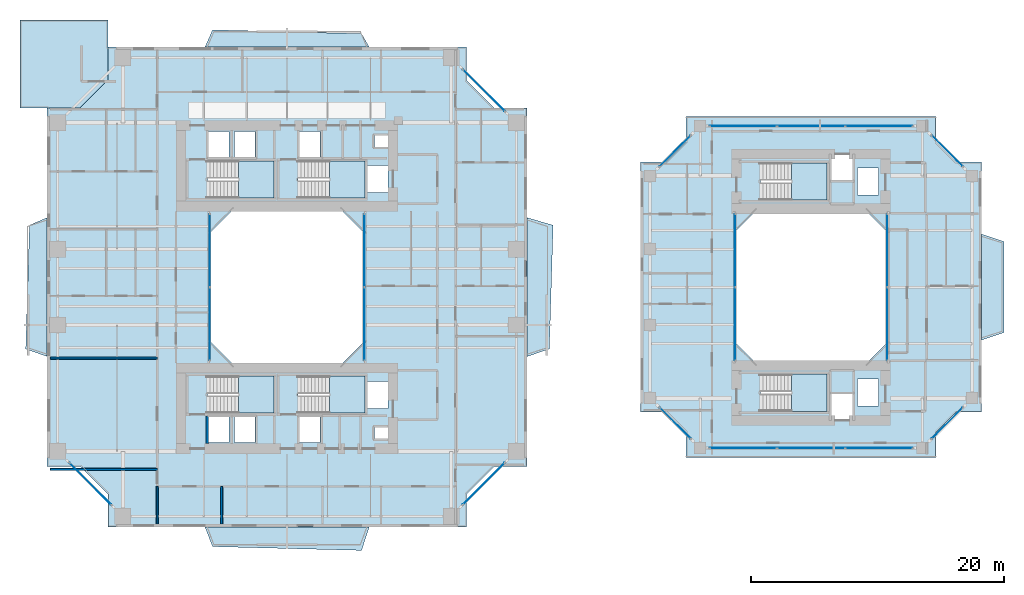
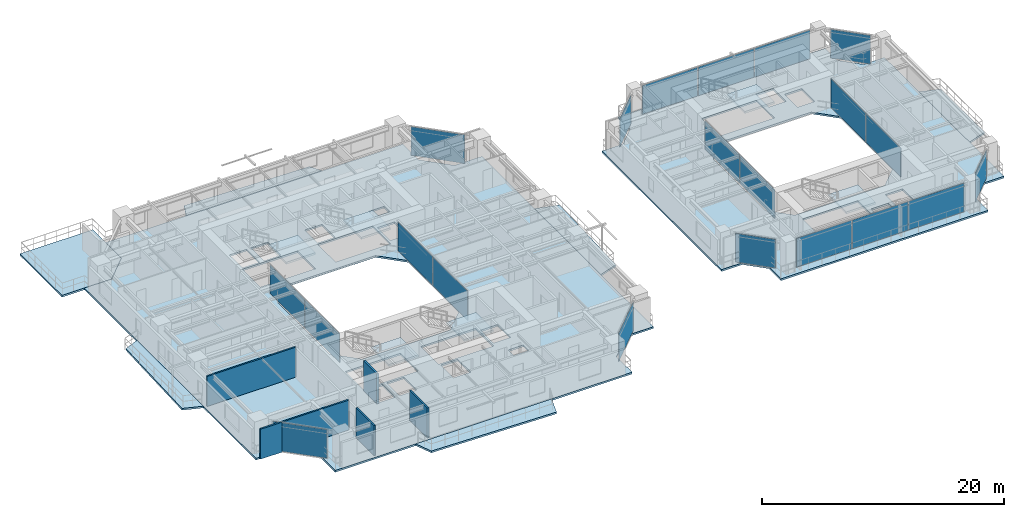
# One storey, part 11 of 24: 21 plates, 14 slabs, 5 walls, 19 elements without a shape of their own.
"""IFC4 building model written with IfcOpenShell, lengths in metres."""

from ifc_helpers import new_model, si_unit, direction, frame, frame_2d, origin, origin_2d, place, context, subcontext, project, spatial, polyline, rectangle, outline, extrude, source, transform, mapped, material, layer, layer_set, type_object, element, aggregate, save


model = new_model("IFC4")

# Units and contexts
model_context = context("Model", 3, precision=1e-05, world=origin(), true_north=direction((0.0, 1.0)))
body_context = subcontext(model_context, "Body", "Model", "MODEL_VIEW")
ifc_project = project(units=[si_unit("LENGTHUNIT", "METRE"), si_unit("AREAUNIT", "SQUARE_METRE"), si_unit("VOLUMEUNIT", "CUBIC_METRE"), si_unit("PLANEANGLEUNIT", "RADIAN"), si_unit("MASSUNIT", "GRAM", prefix="KILO"), si_unit("THERMODYNAMICTEMPERATUREUNIT", "KELVIN"), si_unit("POWERUNIT", "WATT")], contexts=[model_context])

# Site, building, storey
site_placement = place(None, origin())
site = spatial("IfcSite", under=ifc_project, at=site_placement, CompositionType="ELEMENT")
building_placement = place(site_placement, origin())
building = spatial("IfcBuilding", under=site, at=building_placement, Name="Qiaomeng Ring Towers", CompositionType="ELEMENT")
storey_placement = place(building_placement, frame((0.0, 0.0, 42.5)))
storey = spatial("IfcBuildingStorey", under=building, at=storey_placement, Name="L11", CompositionType="ELEMENT", Elevation=42.5)

# Slabs
ifc_material_1 = material(Name="Concrete C40", Category="concrete")
ifc_layer_1 = layer(ifc_material_1, 0.179931640625, Name="Concrete C40")
ifc_layer_set_1 = layer_set([ifc_layer_1], Name="Concrete C40")
slab_type_1 = type_object("IfcSlabType", Name="STR-SL-180", PredefinedType="FLOOR", material=ifc_layer_set_1)
slab_1_placement = place(storey_placement, frame((0.0, 0.0, -0.179931640625)))
element("IfcSlab", 1, at=slab_1_placement, inside=storey, type_object=slab_type_1, Name="L11 Tower 1 Annular Floor Slab", PredefinedType="FLOOR", context=body_context, shape_type="SweptSolid", body=[
    extrude(outline(polyline([(4.800048828125, 4.0), (33.199951171875, 4.0), (33.199951171875, 6.60009765625), (35.39990234375, 8.800048828125), (38.0, 8.800048828125), (38.0, 37.199951171875), (35.39990234375, 37.199951171875), (33.199951171875, 39.39990234375), (33.199951171875, 42.0), (4.800048828125, 42.0), (4.800048828125, 39.39990234375), (2.60009765625, 37.199951171875), (0.0, 37.199951171875), (0.0, 8.800048828125), (2.60009765625, 8.800048828125), (4.800048828125, 6.60009765625), (4.800048828125, 4.0)]), holes=[polyline([(12.780029296875, 10.679931640625), (12.780029296875, 12.820068359375), (14.419921875, 12.820068359375), (14.419921875, 10.679931640625), (12.780029296875, 10.679931640625)]), polyline([(14.830078125, 12.820068359375), (16.469970703125, 12.820068359375), (16.469970703125, 10.679931640625), (14.830078125, 10.679931640625), (14.830078125, 12.820068359375)]), polyline([(12.679931640625, 15.949951171875), (17.949951171875, 15.949951171875), (17.949951171875, 13.010009765625), (12.679931640625, 13.010009765625), (12.679931640625, 15.949951171875)]), polyline([(25.199951171875, 27.199951171875), (25.199951171875, 18.800048828125), (23.199951171875, 16.800048828125), (14.800048828125, 16.800048828125), (12.800048828125, 18.800048828125), (12.800048828125, 27.199951171875), (14.800048828125, 29.199951171875), (23.199951171875, 29.199951171875), (25.199951171875, 27.199951171875)]), polyline([(12.679931640625, 32.989990234375), (17.949951171875, 32.989990234375), (17.949951171875, 30.050048828125), (12.679931640625, 30.050048828125), (12.679931640625, 32.989990234375)]), polyline([(12.780029296875, 35.320068359375), (14.419921875, 35.320068359375), (14.419921875, 33.179931640625), (12.780029296875, 33.179931640625), (12.780029296875, 35.320068359375)]), polyline([(14.830078125, 35.320068359375), (16.469970703125, 35.320068359375), (16.469970703125, 33.179931640625), (14.830078125, 33.179931640625), (14.830078125, 35.320068359375)]), polyline([(19.97998046875, 35.320068359375), (21.6201171875, 35.320068359375), (21.6201171875, 33.179931640625), (19.97998046875, 33.179931640625), (19.97998046875, 35.320068359375)]), polyline([(25.919921875, 11.89990234375), (27.360107421875, 11.89990234375), (27.360107421875, 11.0), (25.919921875, 11.0), (25.919921875, 11.89990234375)]), polyline([(19.97998046875, 12.820068359375), (21.6201171875, 12.820068359375), (21.6201171875, 10.679931640625), (19.97998046875, 10.679931640625), (19.97998046875, 12.820068359375)]), polyline([(25.360107421875, 15.52001953125), (27.0, 15.52001953125), (27.0, 13.3798828125), (25.360107421875, 13.3798828125), (25.360107421875, 15.52001953125)]), polyline([(19.8798828125, 15.949951171875), (25.14990234375, 15.949951171875), (25.14990234375, 13.010009765625), (19.8798828125, 13.010009765625), (19.8798828125, 15.949951171875)]), polyline([(19.8798828125, 32.989990234375), (25.14990234375, 32.989990234375), (25.14990234375, 30.050048828125), (19.8798828125, 30.050048828125), (19.8798828125, 32.989990234375)]), polyline([(25.360107421875, 32.6201171875), (27.0, 32.6201171875), (27.0, 30.47998046875), (25.360107421875, 30.47998046875), (25.360107421875, 32.6201171875)]), polyline([(25.919921875, 35.0), (27.360107421875, 35.0), (27.360107421875, 34.10009765625), (25.919921875, 34.10009765625), (25.919921875, 35.0)])]), origin(), (0.0, 0.0, 1.0), 0.179931640625),
])
slab_2_placement = place(storey_placement, frame((0.0, 0.0, -0.179931640625)))
element("IfcSlab", 2, at=slab_2_placement, inside=storey, type_object=slab_type_1, Name="L11 Companion Tower 2 Annular Floor Slab", PredefinedType="FLOOR", context=body_context, shape_type="SweptSolid", body=[
    extrude(outline(polyline([(50.60009765625, 9.5), (70.39990234375, 9.5), (70.39990234375, 11.5), (72.0, 13.10009765625), (74.0, 13.10009765625), (74.0, 32.89990234375), (72.0, 32.89990234375), (70.39990234375, 34.5), (70.39990234375, 36.5), (50.60009765625, 36.5), (50.60009765625, 34.5), (49.0, 32.89990234375), (47.0, 32.89990234375), (47.0, 13.10009765625), (49.0, 13.10009765625), (50.60009765625, 11.5), (50.60009765625, 9.5)]), holes=[polyline([(62.1298828125, 12.3798828125), (62.1298828125, 14.52001953125), (63.77001953125, 14.52001953125), (63.77001953125, 12.3798828125), (62.1298828125, 12.3798828125)]), polyline([(56.47998046875, 13.159912109375), (56.47998046875, 16.10009765625), (61.75, 16.10009765625), (61.75, 13.159912109375), (56.47998046875, 13.159912109375)]), polyline([(64.179931640625, 13.580078125), (64.179931640625, 15.719970703125), (65.820068359375, 15.719970703125), (65.820068359375, 13.580078125), (64.179931640625, 13.580078125)]), polyline([(64.800048828125, 29.10009765625), (66.60009765625, 27.300048828125), (66.60009765625, 18.699951171875), (64.800048828125, 16.89990234375), (56.199951171875, 16.89990234375), (54.39990234375, 18.699951171875), (54.39990234375, 27.300048828125), (56.199951171875, 29.10009765625), (64.800048828125, 29.10009765625)]), polyline([(64.179931640625, 30.280029296875), (64.179931640625, 32.419921875), (65.820068359375, 32.419921875), (65.820068359375, 30.280029296875), (64.179931640625, 30.280029296875)]), polyline([(56.47998046875, 32.840087890625), (61.75, 32.840087890625), (61.75, 29.89990234375), (56.47998046875, 29.89990234375), (56.47998046875, 32.840087890625)]), polyline([(62.1298828125, 33.6201171875), (63.77001953125, 33.6201171875), (63.77001953125, 31.47998046875), (62.1298828125, 31.47998046875), (62.1298828125, 33.6201171875)])]), origin(), (0.0, 0.0, 1.0), 0.179931640625),
])
ifc_layer_2 = layer(ifc_material_1, 0.179931640625, Name="Concrete C40")
ifc_layer_set_2 = layer_set([ifc_layer_2], Name="Concrete C40")
slab_type_2 = type_object("IfcSlabType", Name="STR-SL-BAL", PredefinedType="FLOOR", material=ifc_layer_set_2)
slab_3_placement = place(storey_placement, frame((0.0, 0.0, -0.179931640625)))
element("IfcSlab", 3, at=slab_3_placement, inside=storey, type_object=slab_type_2, Name="L11 Tower 1 S Faceted Balcony Slab", PredefinedType="FLOOR", context=body_context, shape_type="SweptSolid", body=[
    extrude(outline(polyline([(24.89990234375, 2.14990234375), (13.10009765625, 2.449951171875), (12.5, 4.0), (25.5, 4.0), (24.89990234375, 2.14990234375)])), origin(), (0.0, 0.0, 1.0), 0.179931640625),
])
slab_4_placement = place(storey_placement, frame((0.0, 0.0, -0.179931640625)))
element("IfcSlab", 4, at=slab_4_placement, inside=storey, type_object=slab_type_2, Name="L11 Tower 1 E Faceted Balcony Slab", PredefinedType="FLOOR", context=body_context, shape_type="SweptSolid", body=[
    extrude(outline(polyline([(40.070068359375, 27.89990234375), (39.77001953125, 18.10009765625), (38.0, 17.5), (38.0, 28.5), (40.070068359375, 27.89990234375)])), origin(), (0.0, 0.0, 1.0), 0.179931640625),
])
slab_5_placement = place(storey_placement, frame((0.0, 0.0, -0.179931640625)))
element("IfcSlab", 5, at=slab_5_placement, inside=storey, type_object=slab_type_2, Name="L11 Tower 1 N Faceted Balcony Slab", PredefinedType="FLOOR", context=body_context, shape_type="SweptSolid", body=[
    extrude(outline(polyline([(12.5, 42.0), (13.10009765625, 43.3701171875), (24.89990234375, 43.070068359375), (25.5, 42.0), (12.5, 42.0)])), origin(), (0.0, 0.0, 1.0), 0.179931640625),
])
slab_6_placement = place(storey_placement, frame((0.0, 0.0, -0.179931640625)))
element("IfcSlab", 6, at=slab_6_placement, inside=storey, type_object=slab_type_2, Name="L11 Tower 1 W Faceted Balcony Slab", PredefinedType="FLOOR", context=body_context, shape_type="SweptSolid", body=[
    extrude(outline(polyline([(0.0, 17.5), (-1.699951171875, 18.10009765625), (-1.39990234375, 27.89990234375), (0.0, 28.5), (0.0, 17.5)])), origin(), (0.0, 0.0, 1.0), 0.179931640625),
])
slab_7_placement = place(storey_placement, frame((0.0, 0.0, -0.179931640625)))
element("IfcSlab", 7, at=slab_7_placement, inside=storey, type_object=slab_type_2, Name="L11 Companion East Faceted Balcony Slab", PredefinedType="FLOOR", context=body_context, shape_type="SweptSolid", body=[
    extrude(outline(polyline([(75.77001953125, 26.60009765625), (75.77001953125, 19.39990234375), (74.0, 18.800048828125), (74.0, 27.199951171875), (75.77001953125, 26.60009765625)])), origin(), (0.0, 0.0, 1.0), 0.179931640625),
])

# Stair, slab
ifc_material_2 = material(Name="Precast concrete C40", Category="concrete")
stair_type = type_object("IfcStairType", Name="ARC-ST-325", PredefinedType="HALF_TURN_STAIR", material=ifc_material_2)
stair_1_placement = place(storey_placement, origin())
stair_1 = element("IfcStair", 8, at=stair_1_placement, inside=storey, type_object=stair_type, Name="L11 Tower 1 North Stair 1", PredefinedType="HALF_TURN_STAIR")
ifc_layer_3 = layer(ifc_material_1, 0.199951171875, Name="Concrete C40")
ifc_layer_set_3 = layer_set([ifc_layer_3], Name="Concrete C40")
slab_type_3 = type_object("IfcSlabType", Name="STR-SL-LANDING", PredefinedType="LANDING", material=ifc_layer_set_3)
slab_8_placement = place(storey_placement, frame((0.0, 0.0, 1.425048828125)))
slab_8 = element("IfcSlab", 9, at=slab_8_placement, type_object=slab_type_3, Name="ST1 landing 1", PredefinedType="LANDING", context=body_context, shape_type="SweptSolid", body=[
    extrude(outline(polyline([(15.139892578125, 30.050048828125), (17.949951171875, 30.050048828125), (17.949951171875, 32.989990234375), (15.139892578125, 32.989990234375), (15.139892578125, 30.050048828125)])), origin(), (0.0, 0.0, 1.0), 0.199951171875),
])
aggregate(stair_1, [slab_8])

stair_2_placement = place(storey_placement, origin())
stair_2 = element("IfcStair", 10, at=stair_2_placement, inside=storey, type_object=stair_type, Name="L11 Tower 1 North Stair 2", PredefinedType="HALF_TURN_STAIR")
slab_9_placement = place(storey_placement, frame((0.0, 0.0, 1.425048828125)))
slab_9 = element("IfcSlab", 11, at=slab_9_placement, type_object=slab_type_3, Name="ST2 landing 1", PredefinedType="LANDING", context=body_context, shape_type="SweptSolid", body=[
    extrude(outline(polyline([(22.340087890625, 30.050048828125), (25.14990234375, 30.050048828125), (25.14990234375, 32.989990234375), (22.340087890625, 32.989990234375), (22.340087890625, 30.050048828125)])), origin(), (0.0, 0.0, 1.0), 0.199951171875),
])
aggregate(stair_2, [slab_9])

stair_3_placement = place(storey_placement, origin())
stair_3 = element("IfcStair", 12, at=stair_3_placement, inside=storey, type_object=stair_type, Name="L11 Tower 1 South Stair 3", PredefinedType="HALF_TURN_STAIR")
slab_10_placement = place(storey_placement, frame((0.0, 0.0, 1.425048828125)))
slab_10 = element("IfcSlab", 13, at=slab_10_placement, type_object=slab_type_3, Name="ST3 landing 1", PredefinedType="LANDING", context=body_context, shape_type="SweptSolid", body=[
    extrude(outline(polyline([(15.139892578125, 13.010009765625), (17.949951171875, 13.010009765625), (17.949951171875, 15.949951171875), (15.139892578125, 15.949951171875), (15.139892578125, 13.010009765625)])), origin(), (0.0, 0.0, 1.0), 0.199951171875),
])
aggregate(stair_3, [slab_10])

stair_4_placement = place(storey_placement, origin())
stair_4 = element("IfcStair", 14, at=stair_4_placement, inside=storey, type_object=stair_type, Name="L11 Tower 1 South Stair 4", PredefinedType="HALF_TURN_STAIR")
slab_11_placement = place(storey_placement, frame((0.0, 0.0, 1.425048828125)))
slab_11 = element("IfcSlab", 15, at=slab_11_placement, type_object=slab_type_3, Name="ST4 landing 1", PredefinedType="LANDING", context=body_context, shape_type="SweptSolid", body=[
    extrude(outline(polyline([(22.340087890625, 13.010009765625), (25.14990234375, 13.010009765625), (25.14990234375, 15.949951171875), (22.340087890625, 15.949951171875), (22.340087890625, 13.010009765625)])), origin(), (0.0, 0.0, 1.0), 0.199951171875),
])
aggregate(stair_4, [slab_11])

stair_5_placement = place(storey_placement, origin())
stair_5 = element("IfcStair", 16, at=stair_5_placement, inside=storey, type_object=stair_type, Name="L11 Companion North Stair 5", PredefinedType="HALF_TURN_STAIR")
slab_12_placement = place(storey_placement, frame((0.0, 0.0, 1.425048828125)))
slab_12 = element("IfcSlab", 17, at=slab_12_placement, type_object=slab_type_3, Name="ST5 landing 1", PredefinedType="LANDING", context=body_context, shape_type="SweptSolid", body=[
    extrude(outline(polyline([(58.93994140625, 29.89990234375), (61.75, 29.89990234375), (61.75, 32.840087890625), (58.93994140625, 32.840087890625), (58.93994140625, 29.89990234375)])), origin(), (0.0, 0.0, 1.0), 0.199951171875),
])
aggregate(stair_5, [slab_12])

stair_6_placement = place(storey_placement, origin())
stair_6 = element("IfcStair", 18, at=stair_6_placement, inside=storey, type_object=stair_type, Name="L11 Companion South Stair 6", PredefinedType="HALF_TURN_STAIR")
slab_13_placement = place(storey_placement, frame((0.0, 0.0, 1.425048828125)))
slab_13 = element("IfcSlab", 19, at=slab_13_placement, type_object=slab_type_3, Name="ST6 landing 1", PredefinedType="LANDING", context=body_context, shape_type="SweptSolid", body=[
    extrude(outline(polyline([(58.93994140625, 13.159912109375), (61.75, 13.159912109375), (61.75, 16.10009765625), (58.93994140625, 16.10009765625), (58.93994140625, 13.159912109375)])), origin(), (0.0, 0.0, 1.0), 0.199951171875),
])
aggregate(stair_6, [slab_13])

# Slab
ifc_layer_4 = layer(ifc_material_1, 0.179931640625, Name="Concrete C40")
ifc_layer_set_4 = layer_set([ifc_layer_4], Name="Concrete C40")
slab_type_4 = type_object("IfcSlabType", Name="STR-SL-TERR180", PredefinedType="FLOOR", material=ifc_layer_set_4)
slab_14_placement = place(storey_placement, frame((0.0, 0.0, -0.179931640625)))
element("IfcSlab", 20, at=slab_14_placement, inside=storey, type_object=slab_type_4, Name="L11 Spiralling Corner Sky Terrace NW", PredefinedType="FLOOR", context=body_context, shape_type="SweptSolid", body=[
    extrude(outline(polyline([(4.800048828125, 39.39990234375), (2.60009765625, 37.199951171875), (0.0, 37.199951171875), (-2.14990234375, 37.199951171875), (-2.14990234375, 44.14990234375), (4.800048828125, 44.14990234375), (4.800048828125, 42.0), (4.800048828125, 39.39990234375)])), origin(), (0.0, 0.0, 1.0), 0.179931640625),
])

# Curtain wall, plates
ifc_material_3 = material(Name="Fluorocarbon dark-grey aluminium", Category="aluminium")
ifc_layer_5 = layer(ifc_material_3, 0.139892578125, Name="Fluorocarbon dark-grey aluminium")
ifc_layer_set_5 = layer_set([ifc_layer_5], Name="Fluorocarbon dark-grey aluminium")
curtain_wall_type_1 = type_object("IfcCurtainWallType", Name="ARC-CW-4", PredefinedType="NOTDEFINED", material=ifc_layer_set_5)
curtain_wall_1_placement = place(storey_placement, origin())
curtain_wall_1 = element("IfcCurtainWall", 21, at=curtain_wall_1_placement, inside=storey, type_object=curtain_wall_type_1, Name="L11 Curtain Wall CW4", PredefinedType="NOTDEFINED")
ifc_material_4 = material(Name="Low-E dark-grey laminated double glazing", Category="glass")
ifc_layer_6 = layer(ifc_material_4, 0.028076171875, Name="Low-E dark-grey laminated double glazing")
ifc_layer_set_6 = layer_set([ifc_layer_6], Name="Low-E dark-grey laminated double glazing")
plate_type = type_object("IfcPlateType", Name="ARC-CWP-DARK", PredefinedType="CURTAIN_PANEL", material=ifc_layer_set_6)
shared_shape_1 = source(origin(), body_context, "Body", "SweptSolid", [
    extrude(rectangle(XDim=5.75244140625, YDim=0.028076171875, at=origin_2d()), origin(), (0.0, 0.0, 1.0), 2.89990234375),
])
plate_1_placement = place(storey_placement, frame((12.8798828125, 20.09130859375, 0.06494140625), z_axis=(0.0, 0.0, 1.0), x_axis=(0.0, 1.0, 0.0)))
plate_1 = element("IfcPlate", 22, at=plate_1_placement, type_object=plate_type, Name="CW4 panel 1.1", PredefinedType="CURTAIN_PANEL", context=body_context, shape_type="MappedRepresentation", body=[
    mapped(shared_shape_1, transform((0.0, 0.0, 0.0), x_axis=(1.0, 0.0, 0.0), y_axis=(0.0, 1.0, 0.0), z_axis=(0.0, 0.0, 1.0), scale=1.0)),
])
plate_2_placement = place(storey_placement, frame((12.8798828125, 25.90869140625, 0.06494140625), z_axis=(0.0, 0.0, 1.0), x_axis=(0.0, 1.0, 0.0)))
plate_2 = element("IfcPlate", 23, at=plate_2_placement, type_object=plate_type, Name="CW4 panel 2.1", PredefinedType="CURTAIN_PANEL", context=body_context, shape_type="MappedRepresentation", body=[
    mapped(shared_shape_1, transform((0.0, 0.0, 0.0), x_axis=(1.0, 0.0, 0.0), y_axis=(0.0, 1.0, 0.0), z_axis=(0.0, 0.0, 1.0), scale=1.0)),
])
aggregate(curtain_wall_1, [plate_1, plate_2])

curtain_wall_2_placement = place(storey_placement, origin())
curtain_wall_2 = element("IfcCurtainWall", 24, at=curtain_wall_2_placement, inside=storey, type_object=curtain_wall_type_1, Name="L11 Curtain Wall CW4", PredefinedType="NOTDEFINED")
plate_3_placement = place(storey_placement, frame((25.1201171875, 20.09130859375, 0.06494140625), z_axis=(0.0, 0.0, 1.0), x_axis=(0.0, 1.0, 0.0)))
plate_3 = element("IfcPlate", 25, at=plate_3_placement, type_object=plate_type, Name="CW4 panel 1.1", PredefinedType="CURTAIN_PANEL", context=body_context, shape_type="MappedRepresentation", body=[
    mapped(shared_shape_1, transform((0.0, 0.0, 0.0), x_axis=(1.0, 0.0, 0.0), y_axis=(0.0, 1.0, 0.0), z_axis=(0.0, 0.0, 1.0), scale=1.0)),
])
plate_4_placement = place(storey_placement, frame((25.1201171875, 25.90869140625, 0.06494140625), z_axis=(0.0, 0.0, 1.0), x_axis=(0.0, 1.0, 0.0)))
plate_4 = element("IfcPlate", 26, at=plate_4_placement, type_object=plate_type, Name="CW4 panel 2.1", PredefinedType="CURTAIN_PANEL", context=body_context, shape_type="MappedRepresentation", body=[
    mapped(shared_shape_1, transform((0.0, 0.0, 0.0), x_axis=(1.0, 0.0, 0.0), y_axis=(0.0, 1.0, 0.0), z_axis=(0.0, 0.0, 1.0), scale=1.0)),
])
aggregate(curtain_wall_2, [plate_3, plate_4])

curtain_wall_3_placement = place(storey_placement, origin())
curtain_wall_3 = element("IfcCurtainWall", 27, at=curtain_wall_3_placement, inside=storey, type_object=curtain_wall_type_1, Name="L11 Curtain Wall CW4", PredefinedType="NOTDEFINED")
plate_5_placement = place(storey_placement, frame((54.47998046875, 20.09130859375, 0.06494140625), z_axis=(0.0, 0.0, 1.0), x_axis=(0.0, 1.0, 0.0)))
plate_5 = element("IfcPlate", 28, at=plate_5_placement, type_object=plate_type, Name="CW4 panel 1.1", PredefinedType="CURTAIN_PANEL", context=body_context, shape_type="MappedRepresentation", body=[
    mapped(shared_shape_1, transform((0.0, 0.0, 0.0), x_axis=(1.0, 0.0, 0.0), y_axis=(0.0, 1.0, 0.0), z_axis=(0.0, 0.0, 1.0), scale=1.0)),
])
plate_6_placement = place(storey_placement, frame((54.47998046875, 25.90869140625, 0.06494140625), z_axis=(0.0, 0.0, 1.0), x_axis=(0.0, 1.0, 0.0)))
plate_6 = element("IfcPlate", 29, at=plate_6_placement, type_object=plate_type, Name="CW4 panel 2.1", PredefinedType="CURTAIN_PANEL", context=body_context, shape_type="MappedRepresentation", body=[
    mapped(shared_shape_1, transform((0.0, 0.0, 0.0), x_axis=(1.0, 0.0, 0.0), y_axis=(0.0, 1.0, 0.0), z_axis=(0.0, 0.0, 1.0), scale=1.0)),
])
aggregate(curtain_wall_3, [plate_5, plate_6])

curtain_wall_4_placement = place(storey_placement, origin())
curtain_wall_4 = element("IfcCurtainWall", 30, at=curtain_wall_4_placement, inside=storey, type_object=curtain_wall_type_1, Name="L11 Curtain Wall CW4", PredefinedType="NOTDEFINED")
plate_7_placement = place(storey_placement, frame((66.52001953125, 20.09130859375, 0.06494140625), z_axis=(0.0, 0.0, 1.0), x_axis=(0.0, 1.0, 0.0)))
plate_7 = element("IfcPlate", 31, at=plate_7_placement, type_object=plate_type, Name="CW4 panel 1.1", PredefinedType="CURTAIN_PANEL", context=body_context, shape_type="MappedRepresentation", body=[
    mapped(shared_shape_1, transform((0.0, 0.0, 0.0), x_axis=(1.0, 0.0, 0.0), y_axis=(0.0, 1.0, 0.0), z_axis=(0.0, 0.0, 1.0), scale=1.0)),
])
plate_8_placement = place(storey_placement, frame((66.52001953125, 25.90869140625, 0.06494140625), z_axis=(0.0, 0.0, 1.0), x_axis=(0.0, 1.0, 0.0)))
plate_8 = element("IfcPlate", 32, at=plate_8_placement, type_object=plate_type, Name="CW4 panel 2.1", PredefinedType="CURTAIN_PANEL", context=body_context, shape_type="MappedRepresentation", body=[
    mapped(shared_shape_1, transform((0.0, 0.0, 0.0), x_axis=(1.0, 0.0, 0.0), y_axis=(0.0, 1.0, 0.0), z_axis=(0.0, 0.0, 1.0), scale=1.0)),
])
aggregate(curtain_wall_4, [plate_7, plate_8])

# Curtain wall, plate
ifc_layer_7 = layer(ifc_material_3, 0.159912109375, Name="Fluorocarbon dark-grey aluminium")
ifc_layer_set_7 = layer_set([ifc_layer_7], Name="Fluorocarbon dark-grey aluminium")
curtain_wall_type_2 = type_object("IfcCurtainWallType", Name="ARC-CW-2", PredefinedType="NOTDEFINED", material=ifc_layer_set_7)
curtain_wall_5_placement = place(storey_placement, origin())
curtain_wall_5 = element("IfcCurtainWall", 33, at=curtain_wall_5_placement, inside=storey, type_object=curtain_wall_type_2, Name="L11 Curtain Wall CW2", PredefinedType="NOTDEFINED")
shared_shape_2 = source(origin(), body_context, "Body", "SweptSolid", [
    extrude(rectangle(XDim=4.6259765625, YDim=0.028076171875, at=origin_2d()), origin(), (0.0, 0.0, 1.0), 2.89990234375),
])
plate_9_placement = place(storey_placement, frame((34.574951171875, 7.425048828125, 0.06494140625), z_axis=(0.0, 0.0, 1.0), x_axis=(0.707106781187, 0.707106781187, 0.0)))
plate_9 = element("IfcPlate", 34, at=plate_9_placement, type_object=plate_type, Name="CW2 panel 1.1", PredefinedType="CURTAIN_PANEL", context=body_context, shape_type="MappedRepresentation", body=[
    mapped(shared_shape_2, transform((0.0, 0.0, 0.0), x_axis=(1.0, 0.0, 0.0), y_axis=(0.0, 1.0, 0.0), z_axis=(0.0, 0.0, 1.0), scale=1.0)),
])
aggregate(curtain_wall_5, [plate_9])

curtain_wall_6_placement = place(storey_placement, origin())
curtain_wall_6 = element("IfcCurtainWall", 35, at=curtain_wall_6_placement, inside=storey, type_object=curtain_wall_type_2, Name="L11 Curtain Wall CW2", PredefinedType="NOTDEFINED")
plate_10_placement = place(storey_placement, frame((34.574951171875, 38.574951171875, 0.06494140625), z_axis=(0.0, 0.0, 1.0), x_axis=(-0.707106781187, 0.707106781187, 0.0)))
plate_10 = element("IfcPlate", 36, at=plate_10_placement, type_object=plate_type, Name="CW2 panel 1.1", PredefinedType="CURTAIN_PANEL", context=body_context, shape_type="MappedRepresentation", body=[
    mapped(shared_shape_2, transform((0.0, 0.0, 0.0), x_axis=(1.0, 0.0, 0.0), y_axis=(0.0, 1.0, 0.0), z_axis=(0.0, 0.0, 1.0), scale=1.0)),
])
aggregate(curtain_wall_6, [plate_10])

curtain_wall_7_placement = place(storey_placement, origin())
curtain_wall_7 = element("IfcCurtainWall", 37, at=curtain_wall_7_placement, inside=storey, type_object=curtain_wall_type_2, Name="L11 Curtain Wall CW2", PredefinedType="NOTDEFINED")
plate_11_placement = place(storey_placement, frame((3.425048828125, 7.425048828125, 0.06494140625), z_axis=(0.0, 0.0, 1.0), x_axis=(0.707106781187, -0.707106781187, 0.0)))
plate_11 = element("IfcPlate", 38, at=plate_11_placement, type_object=plate_type, Name="CW2 panel 1.1", PredefinedType="CURTAIN_PANEL", context=body_context, shape_type="MappedRepresentation", body=[
    mapped(shared_shape_2, transform((0.0, 0.0, 0.0), x_axis=(1.0, 0.0, 0.0), y_axis=(0.0, 1.0, 0.0), z_axis=(0.0, 0.0, 1.0), scale=1.0)),
])
aggregate(curtain_wall_7, [plate_11])

# Curtain wall, plates
ifc_layer_8 = layer(ifc_material_3, 0.14990234375, Name="Fluorocarbon dark-grey aluminium")
ifc_layer_set_8 = layer_set([ifc_layer_8], Name="Fluorocarbon dark-grey aluminium")
curtain_wall_type_3 = type_object("IfcCurtainWallType", Name="ARC-CW-5", PredefinedType="NOTDEFINED", material=ifc_layer_set_8)
curtain_wall_8_placement = place(storey_placement, origin())
curtain_wall_8 = element("IfcCurtainWall", 39, at=curtain_wall_8_placement, inside=storey, type_object=curtain_wall_type_3, Name="L11 Curtain Wall CW5", PredefinedType="NOTDEFINED")
shared_shape_3 = source(origin(), body_context, "Body", "SweptSolid", [
    extrude(rectangle(XDim=5.284912109375, YDim=0.028076171875, at=origin_2d()), origin(), (0.0, 0.0, 1.0), 2.89990234375),
])
plate_12_placement = place(storey_placement, frame((55.12744140625, 35.75, 0.06494140625), z_axis=(0.0, 0.0, 1.0), x_axis=(1.0, 0.0, 0.0)))
plate_12 = element("IfcPlate", 40, at=plate_12_placement, type_object=plate_type, Name="CW5 panel 1.1", PredefinedType="CURTAIN_PANEL", context=body_context, shape_type="MappedRepresentation", body=[
    mapped(shared_shape_3, transform((0.0, 0.0, 0.0), x_axis=(1.0, 0.0, 0.0), y_axis=(0.0, 1.0, 0.0), z_axis=(0.0, 0.0, 1.0), scale=1.0)),
])
plate_13_placement = place(storey_placement, frame((65.87255859375, 35.75, 0.06494140625), z_axis=(0.0, 0.0, 1.0), x_axis=(1.0, 0.0, 0.0)))
plate_13 = element("IfcPlate", 41, at=plate_13_placement, type_object=plate_type, Name="CW5 panel 3.1", PredefinedType="CURTAIN_PANEL", context=body_context, shape_type="MappedRepresentation", body=[
    mapped(shared_shape_3, transform((0.0, 0.0, 0.0), x_axis=(1.0, 0.0, 0.0), y_axis=(0.0, 1.0, 0.0), z_axis=(0.0, 0.0, 1.0), scale=1.0)),
])

curtain_wall_9_placement = place(storey_placement, origin())
curtain_wall_9 = element("IfcCurtainWall", 42, at=curtain_wall_9_placement, inside=storey, type_object=curtain_wall_type_3, Name="L11 Curtain Wall CW5", PredefinedType="NOTDEFINED")
plate_14_placement = place(storey_placement, frame((55.12744140625, 10.25, 0.06494140625), z_axis=(0.0, 0.0, 1.0), x_axis=(1.0, 0.0, 0.0)))
plate_14 = element("IfcPlate", 43, at=plate_14_placement, type_object=plate_type, Name="CW5 panel 1.1", PredefinedType="CURTAIN_PANEL", context=body_context, shape_type="MappedRepresentation", body=[
    mapped(shared_shape_3, transform((0.0, 0.0, 0.0), x_axis=(1.0, 0.0, 0.0), y_axis=(0.0, 1.0, 0.0), z_axis=(0.0, 0.0, 1.0), scale=1.0)),
])
plate_15_placement = place(storey_placement, frame((65.87255859375, 10.25, 0.06494140625), z_axis=(0.0, 0.0, 1.0), x_axis=(1.0, 0.0, 0.0)))
plate_15 = element("IfcPlate", 44, at=plate_15_placement, type_object=plate_type, Name="CW5 panel 3.1", PredefinedType="CURTAIN_PANEL", context=body_context, shape_type="MappedRepresentation", body=[
    mapped(shared_shape_3, transform((0.0, 0.0, 0.0), x_axis=(1.0, 0.0, 0.0), y_axis=(0.0, 1.0, 0.0), z_axis=(0.0, 0.0, 1.0), scale=1.0)),
])

# Plate
shared_shape_4 = source(origin(), body_context, "Body", "SweptSolid", [
    extrude(rectangle(XDim=5.320068359375, YDim=0.028076171875, at=origin_2d()), origin(), (0.0, 0.0, 1.0), 2.89990234375),
])
plate_16_placement = place(storey_placement, frame((60.5, 35.75, 0.06494140625), z_axis=(0.0, 0.0, 1.0), x_axis=(1.0, 0.0, 0.0)))
plate_16 = element("IfcPlate", 45, at=plate_16_placement, type_object=plate_type, Name="CW5 panel 2.1", PredefinedType="CURTAIN_PANEL", context=body_context, shape_type="MappedRepresentation", body=[
    mapped(shared_shape_4, transform((0.0, 0.0, 0.0), x_axis=(1.0, 0.0, 0.0), y_axis=(0.0, 1.0, 0.0), z_axis=(0.0, 0.0, 1.0), scale=1.0)),
])

aggregate(curtain_wall_8, [plate_12, plate_16, plate_13])

plate_17_placement = place(storey_placement, frame((60.5, 10.25, 0.06494140625), z_axis=(0.0, 0.0, 1.0), x_axis=(1.0, 0.0, 0.0)))
plate_17 = element("IfcPlate", 46, at=plate_17_placement, type_object=plate_type, Name="CW5 panel 2.1", PredefinedType="CURTAIN_PANEL", context=body_context, shape_type="MappedRepresentation", body=[
    mapped(shared_shape_4, transform((0.0, 0.0, 0.0), x_axis=(1.0, 0.0, 0.0), y_axis=(0.0, 1.0, 0.0), z_axis=(0.0, 0.0, 1.0), scale=1.0)),
])

aggregate(curtain_wall_9, [plate_14, plate_17, plate_15])

# Curtain wall, plate
curtain_wall_10_placement = place(storey_placement, origin())
curtain_wall_10 = element("IfcCurtainWall", 47, at=curtain_wall_10_placement, inside=storey, type_object=curtain_wall_type_3, Name="L11 Curtain Wall CW5", PredefinedType="NOTDEFINED")
shared_shape_5 = source(origin(), body_context, "Body", "SweptSolid", [
    extrude(rectangle(XDim=3.423828125, YDim=0.028076171875, at=origin_2d()), origin(), (0.0, 0.0, 1.0), 2.89990234375),
])
plate_18_placement = place(storey_placement, frame((71.27490234375, 12.22509765625, 0.06494140625), z_axis=(0.0, 0.0, 1.0), x_axis=(0.707106781187, 0.707106781187, 0.0)))
plate_18 = element("IfcPlate", 48, at=plate_18_placement, type_object=plate_type, Name="CW5 panel 1.1", PredefinedType="CURTAIN_PANEL", context=body_context, shape_type="MappedRepresentation", body=[
    mapped(shared_shape_5, transform((0.0, 0.0, 0.0), x_axis=(1.0, 0.0, 0.0), y_axis=(0.0, 1.0, 0.0), z_axis=(0.0, 0.0, 1.0), scale=1.0)),
])
aggregate(curtain_wall_10, [plate_18])

curtain_wall_11_placement = place(storey_placement, origin())
curtain_wall_11 = element("IfcCurtainWall", 49, at=curtain_wall_11_placement, inside=storey, type_object=curtain_wall_type_3, Name="L11 Curtain Wall CW5", PredefinedType="NOTDEFINED")
plate_19_placement = place(storey_placement, frame((71.27490234375, 33.77490234375, 0.06494140625), z_axis=(0.0, 0.0, 1.0), x_axis=(-0.707106781187, 0.707106781187, 0.0)))
plate_19 = element("IfcPlate", 50, at=plate_19_placement, type_object=plate_type, Name="CW5 panel 1.1", PredefinedType="CURTAIN_PANEL", context=body_context, shape_type="MappedRepresentation", body=[
    mapped(shared_shape_5, transform((0.0, 0.0, 0.0), x_axis=(1.0, 0.0, 0.0), y_axis=(0.0, 1.0, 0.0), z_axis=(0.0, 0.0, 1.0), scale=1.0)),
])
aggregate(curtain_wall_11, [plate_19])

curtain_wall_12_placement = place(storey_placement, origin())
curtain_wall_12 = element("IfcCurtainWall", 51, at=curtain_wall_12_placement, inside=storey, type_object=curtain_wall_type_3, Name="L11 Curtain Wall CW5", PredefinedType="NOTDEFINED")
plate_20_placement = place(storey_placement, frame((49.72509765625, 33.77490234375, 0.06494140625), z_axis=(0.0, 0.0, 1.0), x_axis=(-0.707106781187, -0.707106781187, 0.0)))
plate_20 = element("IfcPlate", 52, at=plate_20_placement, type_object=plate_type, Name="CW5 panel 1.1", PredefinedType="CURTAIN_PANEL", context=body_context, shape_type="MappedRepresentation", body=[
    mapped(shared_shape_5, transform((0.0, 0.0, 0.0), x_axis=(1.0, 0.0, 0.0), y_axis=(0.0, 1.0, 0.0), z_axis=(0.0, 0.0, 1.0), scale=1.0)),
])
aggregate(curtain_wall_12, [plate_20])

curtain_wall_13_placement = place(storey_placement, origin())
curtain_wall_13 = element("IfcCurtainWall", 53, at=curtain_wall_13_placement, inside=storey, type_object=curtain_wall_type_3, Name="L11 Curtain Wall CW5", PredefinedType="NOTDEFINED")
plate_21_placement = place(storey_placement, frame((49.72509765625, 12.22509765625, 0.06494140625), z_axis=(0.0, 0.0, 1.0), x_axis=(0.707106781187, -0.707106781187, 0.0)))
plate_21 = element("IfcPlate", 54, at=plate_21_placement, type_object=plate_type, Name="CW5 panel 1.1", PredefinedType="CURTAIN_PANEL", context=body_context, shape_type="MappedRepresentation", body=[
    mapped(shared_shape_5, transform((0.0, 0.0, 0.0), x_axis=(1.0, 0.0, 0.0), y_axis=(0.0, 1.0, 0.0), z_axis=(0.0, 0.0, 1.0), scale=1.0)),
])
aggregate(curtain_wall_13, [plate_21])

# Walls
ifc_material_5 = material(Name="Autoclaved aerated concrete block", Category="concrete")
ifc_layer_9 = layer(ifc_material_5, 0.199951171875, Name="Autoclaved aerated concrete block")
ifc_layer_set_9 = layer_set([ifc_layer_9], Name="Autoclaved aerated concrete block")
wall_type_1 = type_object("IfcWallType", Name="ARC-WL-PW1", PredefinedType="PARTITIONING", material=ifc_layer_set_9)
wall_placement = place(storey_placement, frame((12.679931640625, 10.60009765625, 0.0), z_axis=(0.0, 0.0, 1.0), x_axis=(0.0, 1.0, 0.0)))
element("IfcWall", 55, at=wall_placement, inside=storey, type_object=wall_type_1, Name="L11 Interior Wall PW1", PredefinedType="PARTITIONING", context=body_context, shape_type="SweptSolid", body=[
    extrude(rectangle(XDim=2.2099609375, YDim=0.199951171875, at=frame_2d((1.10498046875, 0.0))), origin(), (0.0, 0.0, 1.0), 3.030029296875),
])
ifc_material_6 = material(Name="Gypsum fireboard steel-stud partition", Category="steel")
ifc_layer_10 = layer(ifc_material_6, 0.14990234375, Name="Gypsum fireboard steel-stud partition")
ifc_layer_set_10 = layer_set([ifc_layer_10], Name="Gypsum fireboard steel-stud partition")
wall_type_2 = type_object("IfcWallType", Name="ARC-WL-PW3", PredefinedType="PARTITIONING", material=ifc_layer_set_10)
for number, where, z_axis, x_axis, name in (
    (56, (13.820068359375, 4.25, 0.0), (0.0, 0.0, 1.0), (0.0, 1.0, 0.0), "L11 Interior Wall PW3"),
    (57, (8.719970703125, 4.25, 0.0), (0.0, 0.0, 1.0), (0.0, 1.0, 0.0), "L11 Interior Wall PW3"),
):
    element("IfcWall", number, at=place(storey_placement, frame(where, z_axis=z_axis, x_axis=x_axis)), inside=storey, type_object=wall_type_2, Name=name, PredefinedType="PARTITIONING", context=body_context, shape_type="SweptSolid", body=[
        extrude(rectangle(XDim=2.9599609375, YDim=0.14990234375, at=frame_2d((1.47998046875, 0.0))), origin(), (0.0, 0.0, 1.0), 3.030029296875),
    ])
for number, where, z_axis, x_axis, name in (
    (58, (0.25, 8.570068359375, 0.0), (0.0, 0.0, 1.0), (1.0, 0.0, 0.0), "L11 Interior Wall PW3"),
    (59, (0.25, 17.3798828125, 0.0), (0.0, 0.0, 1.0), (1.0, 0.0, 0.0), "L11 Interior Wall PW3"),
):
    element("IfcWall", number, at=place(storey_placement, frame(where, z_axis=z_axis, x_axis=x_axis)), inside=storey, type_object=wall_type_2, Name=name, PredefinedType="PARTITIONING", context=body_context, shape_type="SweptSolid", body=[
        extrude(rectangle(XDim=8.469970703125, YDim=0.14990234375, at=frame_2d((4.23486328125, 0.0))), origin(), (0.0, 0.0, 1.0), 3.030029296875),
    ])

save(model, "model.ifc")
